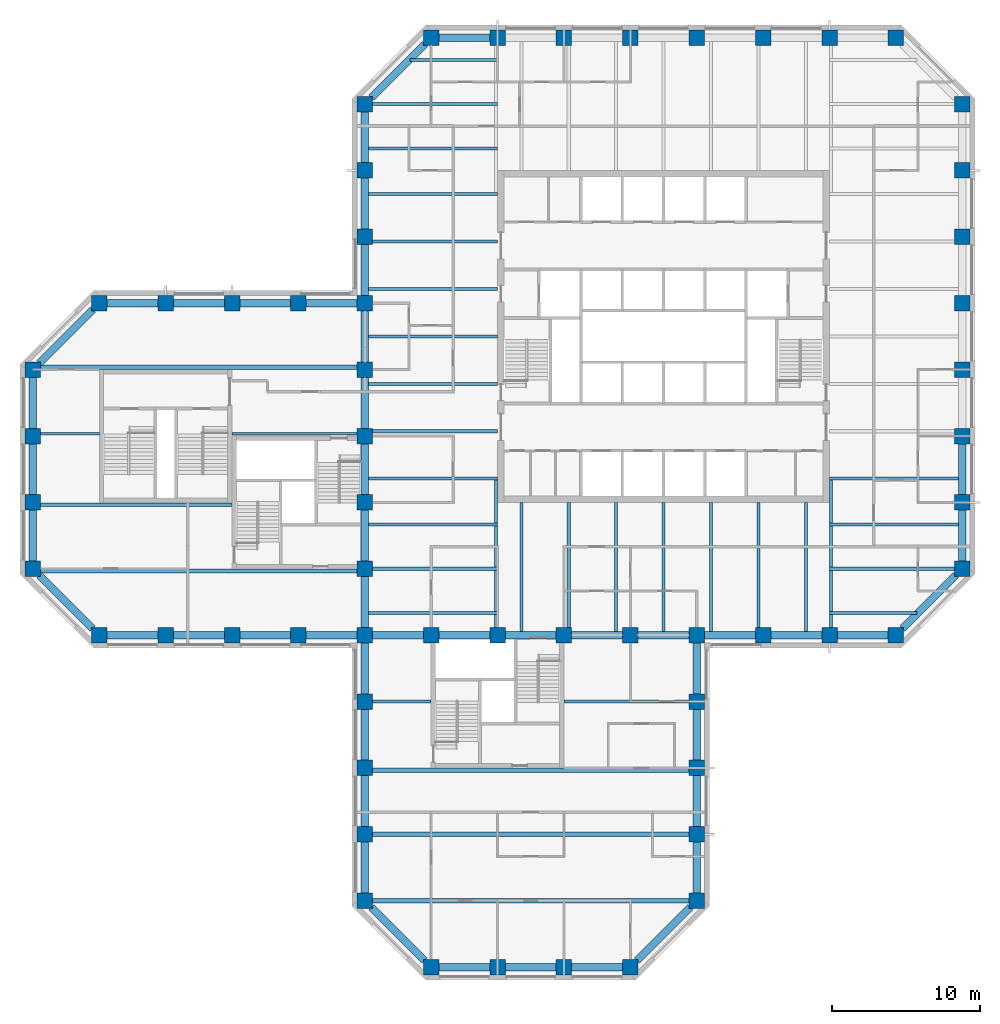
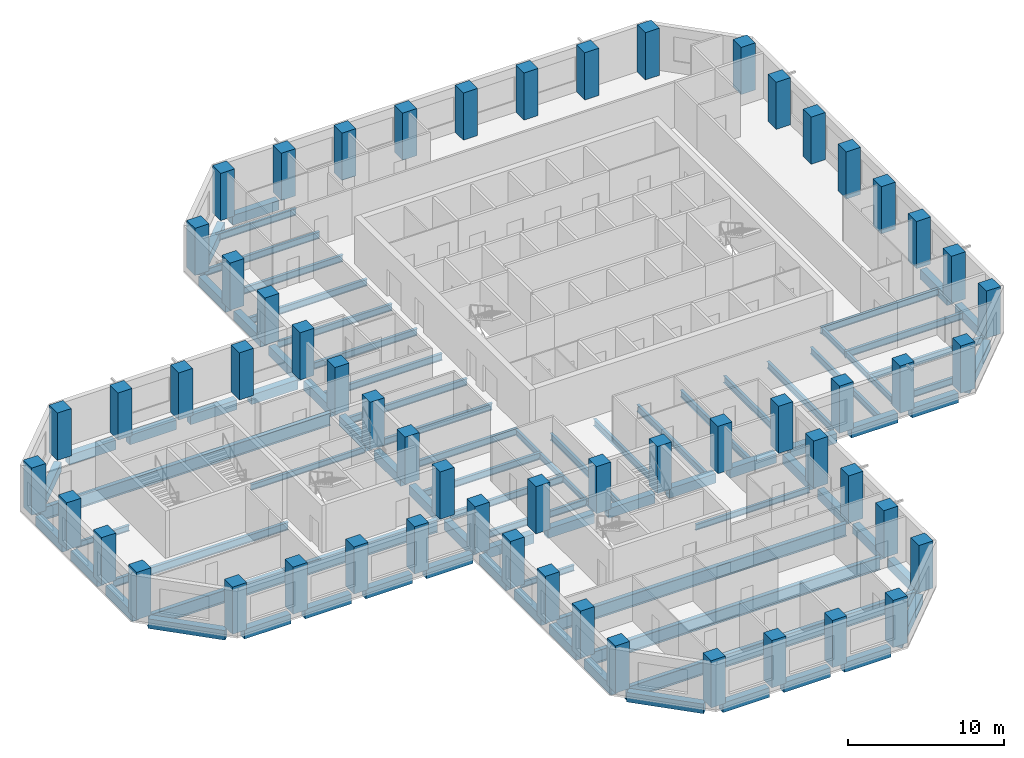
# One storey, part 1 of 11: 83 beams, 57 columns.
"""IFC4 building model written with IfcOpenShell, lengths in metres."""

from ifc_helpers import new_model, si_unit, direction, frame, origin, origin_2d, place, context, subcontext, project, spatial, rectangle, i_section, extrude, material, material_profile, profile_set, type_object, element, save


model = new_model("IFC4")

# Units and contexts
model_context = context("Model", 3, precision=1e-05, world=origin(), true_north=direction((0.0, 1.0)))
body_context = subcontext(model_context, "Body", "Model", "MODEL_VIEW")
ifc_project = project(units=[si_unit("LENGTHUNIT", "METRE"), si_unit("AREAUNIT", "SQUARE_METRE"), si_unit("VOLUMEUNIT", "CUBIC_METRE"), si_unit("PLANEANGLEUNIT", "RADIAN"), si_unit("MASSUNIT", "GRAM", prefix="KILO")], contexts=[model_context])

# Site, building, storey
site_placement = place(None, origin())
site = spatial("IfcSite", under=ifc_project, at=site_placement, CompositionType="ELEMENT")
building_placement = place(site_placement, origin())
building = spatial("IfcBuilding", under=site, at=building_placement, Name="Quoin Convention Tower", CompositionType="ELEMENT")
storey_placement = place(building_placement, frame((0.0, 0.0, 78.89990234375)))
storey = spatial("IfcBuildingStorey", under=building, at=storey_placement, Name="L20", CompositionType="ELEMENT", Elevation=78.89990234375)

# Columns
ifc_material_1 = material(Name="Concrete C65", Category="concrete")
ifc_material_profile_1 = material_profile(ifc_material_1, rectangle(XDim=1.050048828125, YDim=1.050048828125, at=origin_2d()), Name="RC 1050x1050")
ifc_profile_set_1 = profile_set([ifc_material_profile_1], Name="Concrete C65")
column_type = type_object("IfcColumnType", Name="RC 1050x1050 C65", PredefinedType="COLUMN", material=ifc_profile_set_1)
for number, where, z_axis, x_axis, name in (
    (1, (40.5, 18.0, 0.0), (0.0, 0.0, 1.0), (1.0, 0.0, 0.0), "col-L20-40500_18000"),
    (2, (45.0, 18.0, 0.0), (0.0, 0.0, 1.0), (1.0, 0.0, 0.0), "col-L20-45000_18000"),
    (3, (49.5, 18.0, 0.0), (0.0, 0.0, 1.0), (1.0, 0.0, 0.0), "col-L20-49500_18000"),
    (4, (54.0, 18.0, 0.0), (0.0, 0.0, 1.0), (1.0, 0.0, 0.0), "col-L20-54000_18000"),
    (5, (36.0, 22.5, 0.0), (0.0, 0.0, 1.0), (1.0, 0.0, 0.0), "col-L20-36000_22500"),
    (6, (58.5, 22.5, 0.0), (0.0, 0.0, 1.0), (1.0, 0.0, 0.0), "col-L20-58500_22500"),
    (7, (36.0, 27.0, 0.0), (0.0, 0.0, 1.0), (1.0, 0.0, 0.0), "col-L20-36000_27000"),
    (8, (58.5, 27.0, 0.0), (0.0, 0.0, 1.0), (1.0, 0.0, 0.0), "col-L20-58500_27000"),
    (9, (36.0, 31.5, 0.0), (0.0, 0.0, 1.0), (1.0, 0.0, 0.0), "col-L20-36000_31500"),
    (10, (58.5, 31.5, 0.0), (0.0, 0.0, 1.0), (1.0, 0.0, 0.0), "col-L20-58500_31500"),
    (11, (36.0, 36.0, 0.0), (0.0, 0.0, 1.0), (1.0, 0.0, 0.0), "col-L20-36000_36000"),
    (12, (58.5, 36.0, 0.0), (0.0, 0.0, 1.0), (1.0, 0.0, 0.0), "col-L20-58500_36000"),
    (13, (18.0, 40.5, 0.0), (0.0, 0.0, 1.0), (1.0, 0.0, 0.0), "col-L20-18000_40500"),
    (14, (22.5, 40.5, 0.0), (0.0, 0.0, 1.0), (1.0, 0.0, 0.0), "col-L20-22500_40500"),
    (15, (27.0, 40.5, 0.0), (0.0, 0.0, 1.0), (1.0, 0.0, 0.0), "col-L20-27000_40500"),
    (16, (31.5, 40.5, 0.0), (0.0, 0.0, 1.0), (1.0, 0.0, 0.0), "col-L20-31500_40500"),
    (17, (36.0, 40.5, 0.0), (0.0, 0.0, 1.0), (1.0, 0.0, 0.0), "col-L20-36000_40500"),
    (18, (40.5, 40.5, 0.0), (0.0, 0.0, 1.0), (1.0, 0.0, 0.0), "web-L20-40500_40500"),
    (19, (45.0, 40.5, 0.0), (0.0, 0.0, 1.0), (1.0, 0.0, 0.0), "web-L20-45000_40500"),
    (20, (49.5, 40.5, 0.0), (0.0, 0.0, 1.0), (1.0, 0.0, 0.0), "web-L20-49500_40500"),
    (21, (54.0, 40.5, 0.0), (0.0, 0.0, 1.0), (1.0, 0.0, 0.0), "web-L20-54000_40500"),
    (22, (58.5, 40.5, 0.0), (0.0, 0.0, 1.0), (1.0, 0.0, 0.0), "col-L20-58500_40500"),
    (23, (63.0, 40.5, 0.0), (0.0, 0.0, 1.0), (1.0, 0.0, 0.0), "col-L20-63000_40500"),
    (24, (67.5, 40.5, 0.0), (0.0, 0.0, 1.0), (1.0, 0.0, 0.0), "col-L20-67500_40500"),
    (25, (72.0, 40.5, 0.0), (0.0, 0.0, 1.0), (1.0, 0.0, 0.0), "col-L20-72000_40500"),
    (26, (13.5, 45.0, 0.0), (0.0, 0.0, 1.0), (1.0, 0.0, 0.0), "col-L20-13500_45000"),
    (27, (36.0, 45.0, 0.0), (0.0, 0.0, 1.0), (1.0, 0.0, 0.0), "web-L20-36000_45000"),
    (28, (76.5, 45.0, 0.0), (0.0, 0.0, 1.0), (1.0, 0.0, 0.0), "col-L20-76500_45000"),
    (29, (13.5, 49.5, 0.0), (0.0, 0.0, 1.0), (1.0, 0.0, 0.0), "col-L20-13500_49500"),
    (30, (36.0, 49.5, 0.0), (0.0, 0.0, 1.0), (1.0, 0.0, 0.0), "web-L20-36000_49500"),
    (31, (76.5, 49.5, 0.0), (0.0, 0.0, 1.0), (1.0, 0.0, 0.0), "col-L20-76500_49500"),
    (32, (13.5, 54.0, 0.0), (0.0, 0.0, 1.0), (1.0, 0.0, 0.0), "col-L20-13500_54000"),
    (33, (36.0, 54.0, 0.0), (0.0, 0.0, 1.0), (1.0, 0.0, 0.0), "web-L20-36000_54000"),
    (34, (76.5, 54.0, 0.0), (0.0, 0.0, 1.0), (1.0, 0.0, 0.0), "col-L20-76500_54000"),
    (35, (13.5, 58.5, 0.0), (0.0, 0.0, 1.0), (1.0, 0.0, 0.0), "col-L20-13500_58500"),
    (36, (36.0, 58.5, 0.0), (0.0, 0.0, 1.0), (1.0, 0.0, 0.0), "web-L20-36000_58500"),
    (37, (76.5, 58.5, 0.0), (0.0, 0.0, 1.0), (1.0, 0.0, 0.0), "col-L20-76500_58500"),
    (38, (18.0, 63.0, 0.0), (0.0, 0.0, 1.0), (1.0, 0.0, 0.0), "col-L20-18000_63000"),
    (39, (22.5, 63.0, 0.0), (0.0, 0.0, 1.0), (1.0, 0.0, 0.0), "col-L20-22500_63000"),
    (40, (27.0, 63.0, 0.0), (0.0, 0.0, 1.0), (1.0, 0.0, 0.0), "col-L20-27000_63000"),
    (41, (31.5, 63.0, 0.0), (0.0, 0.0, 1.0), (1.0, 0.0, 0.0), "col-L20-31500_63000"),
    (42, (36.0, 63.0, 0.0), (0.0, 0.0, 1.0), (1.0, 0.0, 0.0), "col-L20-36000_63000"),
    (43, (76.5, 63.0, 0.0), (0.0, 0.0, 1.0), (1.0, 0.0, 0.0), "col-L20-76500_63000"),
    (44, (36.0, 67.5, 0.0), (0.0, 0.0, 1.0), (1.0, 0.0, 0.0), "col-L20-36000_67500"),
    (45, (76.5, 67.5, 0.0), (0.0, 0.0, 1.0), (1.0, 0.0, 0.0), "col-L20-76500_67500"),
    (46, (36.0, 72.0, 0.0), (0.0, 0.0, 1.0), (1.0, 0.0, 0.0), "col-L20-36000_72000"),
    (47, (76.5, 72.0, 0.0), (0.0, 0.0, 1.0), (1.0, 0.0, 0.0), "col-L20-76500_72000"),
    (48, (36.0, 76.5, 0.0), (0.0, 0.0, 1.0), (1.0, 0.0, 0.0), "col-L20-36000_76500"),
    (49, (76.5, 76.5, 0.0), (0.0, 0.0, 1.0), (1.0, 0.0, 0.0), "col-L20-76500_76500"),
    (50, (40.5, 81.0, 0.0), (0.0, 0.0, 1.0), (1.0, 0.0, 0.0), "col-L20-40500_81000"),
    (51, (45.0, 81.0, 0.0), (0.0, 0.0, 1.0), (1.0, 0.0, 0.0), "col-L20-45000_81000"),
    (52, (49.5, 81.0, 0.0), (0.0, 0.0, 1.0), (1.0, 0.0, 0.0), "col-L20-49500_81000"),
    (53, (54.0, 81.0, 0.0), (0.0, 0.0, 1.0), (1.0, 0.0, 0.0), "col-L20-54000_81000"),
    (54, (58.5, 81.0, 0.0), (0.0, 0.0, 1.0), (1.0, 0.0, 0.0), "col-L20-58500_81000"),
    (55, (63.0, 81.0, 0.0), (0.0, 0.0, 1.0), (1.0, 0.0, 0.0), "col-L20-63000_81000"),
    (56, (67.5, 81.0, 0.0), (0.0, 0.0, 1.0), (1.0, 0.0, 0.0), "col-L20-67500_81000"),
    (57, (72.0, 81.0, 0.0), (0.0, 0.0, 1.0), (1.0, 0.0, 0.0), "col-L20-72000_81000"),
):
    element("IfcColumn", number, at=place(storey_placement, frame(where, z_axis=z_axis, x_axis=x_axis)), inside=storey, type_object=column_type, Name=name, PredefinedType="COLUMN", context=body_context, shape_type="SweptSolid", body=[
        extrude(rectangle(XDim=1.050048828125, YDim=1.050048828125, at=origin_2d()), origin(), (0.0, 0.0, 1.0), 3.7001953125),
    ])

# Beams
ifc_material_2 = material(Name="Steel Grade 300", Category="steel")
ifc_material_profile_2 = material_profile(ifc_material_2, i_section(OverallWidth=0.300048828125, OverallDepth=1.0, WebThickness=0.01611328125, FlangeThickness=0.02001953125, at=origin_2d()), Name="1000WB215")
ifc_profile_set_2 = profile_set([ifc_material_profile_2], Name="Steel Grade 300")
beam_type_1 = type_object("IfcBeamType", Name="1000WB215", PredefinedType="BEAM", material=ifc_profile_set_2)
for number, where, z_axis, x_axis, name in (
    (58, (36.52490234375, 22.5, -0.64990234375), (1.0, 0.0, 0.0), (0.0, 1.0, 0.0), "gir-L20-ST3-1-0"),
    (59, (36.52490234375, 27.0, -0.64990234375), (1.0, 0.0, 0.0), (0.0, 1.0, 0.0), "gir-L20-ST3-2-0"),
    (60, (36.52490234375, 31.35009765625, -0.64990234375), (1.0, 0.0, 0.0), (0.0, 1.0, 0.0), "gir-L20-ST3-3-0"),
    (61, (14.02490234375, 44.85009765625, -0.64990234375), (1.0, 0.0, 0.0), (0.0, 1.0, 0.0), "gir-L20-ST2-1-0"),
    (62, (14.02490234375, 58.64990234375, -0.64990234375), (1.0, 0.0, 0.0), (0.0, 1.0, 0.0), "gir-L20-ST2-4-0"),
):
    element("IfcBeam", number, at=place(storey_placement, frame(where, z_axis=z_axis, x_axis=x_axis)), inside=storey, type_object=beam_type_1, Name=name, PredefinedType="BEAM", context=body_context, shape_type="SweptSolid", body=[
        extrude(i_section(OverallWidth=0.300048828125, OverallDepth=1.0, WebThickness=0.01611328125, FlangeThickness=0.02001953125, at=origin_2d()), origin(), (0.0, 0.0, 1.0), 21.4501953125),
    ])
ifc_material_profile_3 = material_profile(ifc_material_2, i_section(OverallWidth=0.18994140625, OverallDepth=0.4541015625, WebThickness=0.008544921875, FlangeThickness=0.0126953125, FilletRadius=0.011474609375, at=origin_2d()), Name="460UB67.1")
ifc_profile_set_3 = profile_set([ifc_material_profile_3], Name="Steel Grade 300")
beam_type_2 = type_object("IfcBeamType", Name="460UB67.1", PredefinedType="BEAM", material=ifc_profile_set_3)
for number, where, z_axis, x_axis, name in (
    (63, (44.8955078125, 41.02490234375, -0.376953125), (0.0, 1.0, 0.0), (-1.0, 0.0, 0.0), "gir-L20-T1SW"),
    (64, (67.6044921875, 41.02490234375, -0.376953125), (0.0, 1.0, 0.0), (-1.0, 0.0, 0.0), "gir-L20-T1SE"),
):
    element("IfcBeam", number, at=place(storey_placement, frame(where, z_axis=z_axis, x_axis=x_axis)), inside=storey, type_object=beam_type_2, Name=name, PredefinedType="BEAM", context=body_context, shape_type="SweptSolid", body=[
        extrude(i_section(OverallWidth=0.18994140625, OverallDepth=0.4541015625, WebThickness=0.008544921875, FlangeThickness=0.0126953125, FilletRadius=0.011474609375, at=origin_2d()), origin(), (0.0, 0.0, 1.0), 9.977783203125),
    ])
beam_1_placement = place(storey_placement, frame((36.52490234375, 36.0, -0.376953125), z_axis=(1.0, 0.0, 0.0), x_axis=(0.0, 1.0, 0.0)))
element("IfcBeam", 65, at=beam_1_placement, inside=storey, type_object=beam_type_2, Name="gir-L20-ST3-4-0", PredefinedType="BEAM", context=body_context, shape_type="SweptSolid", body=[
    extrude(i_section(OverallWidth=0.18994140625, OverallDepth=0.4541015625, WebThickness=0.008544921875, FlangeThickness=0.0126953125, FilletRadius=0.011474609375, at=origin_2d()), origin(), (0.0, 0.0, 1.0), 3.97509765625),
])
beam_2_placement = place(storey_placement, frame((49.5, 36.0, -0.376953125), z_axis=(1.0, 0.0, 0.0), x_axis=(0.0, 1.0, 0.0)))
element("IfcBeam", 66, at=beam_2_placement, inside=storey, type_object=beam_type_2, Name="gir-L20-ST3-4-1", PredefinedType="BEAM", context=body_context, shape_type="SweptSolid", body=[
    extrude(i_section(OverallWidth=0.18994140625, OverallDepth=0.4541015625, WebThickness=0.008544921875, FlangeThickness=0.0126953125, FilletRadius=0.011474609375, at=origin_2d()), origin(), (0.0, 0.0, 1.0), 8.47509765625),
])
beam_3_placement = place(storey_placement, frame((14.02490234375, 54.14990234375, -0.376953125), z_axis=(1.0, 0.0, 0.0), x_axis=(0.0, 1.0, 0.0)))
element("IfcBeam", 67, at=beam_3_placement, inside=storey, type_object=beam_type_2, Name="gir-L20-ST2-3-0", PredefinedType="BEAM", context=body_context, shape_type="SweptSolid", body=[
    extrude(i_section(OverallWidth=0.18994140625, OverallDepth=0.4541015625, WebThickness=0.008544921875, FlangeThickness=0.0126953125, FilletRadius=0.011474609375, at=origin_2d()), origin(), (0.0, 0.0, 1.0), 3.97509765625),
])
beam_4_placement = place(storey_placement, frame((27.0, 54.14990234375, -0.376953125), z_axis=(1.0, 0.0, 0.0), x_axis=(0.0, 1.0, 0.0)))
element("IfcBeam", 68, at=beam_4_placement, inside=storey, type_object=beam_type_2, Name="gir-L20-ST2-3-1", PredefinedType="BEAM", context=body_context, shape_type="SweptSolid", body=[
    extrude(i_section(OverallWidth=0.18994140625, OverallDepth=0.4541015625, WebThickness=0.008544921875, FlangeThickness=0.0126953125, FilletRadius=0.011474609375, at=origin_2d()), origin(), (0.0, 0.0, 1.0), 8.47509765625),
])
ifc_material_profile_4 = material_profile(ifc_material_2, i_section(OverallWidth=0.208984375, OverallDepth=0.528076171875, WebThickness=0.009521484375, FlangeThickness=0.01318359375, FilletRadius=0.013916015625, at=origin_2d()), Name="530UB82.0")
ifc_profile_set_4 = profile_set([ifc_material_profile_4], Name="Steel Grade 300")
beam_type_3 = type_object("IfcBeamType", Name="530UB82.0", PredefinedType="BEAM", material=ifc_profile_set_4)
beam_5_placement = place(storey_placement, frame((36.25, 51.107177734375, -0.413818359375), z_axis=(1.0, 0.0, 0.0), x_axis=(0.0, 1.0, 0.0)))
element("IfcBeam", 69, at=beam_5_placement, inside=storey, type_object=beam_type_3, Name="bm-L20-T1W0", PredefinedType="BEAM", context=body_context, shape_type="SweptSolid", body=[
    extrude(i_section(OverallWidth=0.208984375, OverallDepth=0.528076171875, WebThickness=0.009521484375, FlangeThickness=0.01318359375, FilletRadius=0.013916015625, at=origin_2d()), origin(), (0.0, 0.0, 1.0), 8.75),
])
beam_6_placement = place(storey_placement, frame((36.52490234375, 54.3212890625, -0.413818359375), z_axis=(1.0, 0.0, 0.0), x_axis=(0.0, 1.0, 0.0)))
element("IfcBeam", 70, at=beam_6_placement, inside=storey, type_object=beam_type_3, Name="bm-L20-T1W1", PredefinedType="BEAM", context=body_context, shape_type="SweptSolid", body=[
    extrude(i_section(OverallWidth=0.208984375, OverallDepth=0.528076171875, WebThickness=0.009521484375, FlangeThickness=0.01318359375, FilletRadius=0.013916015625, at=origin_2d()), origin(), (0.0, 0.0, 1.0), 8.47509765625),
])
for number, where, z_axis, x_axis, name in (
    (71, (36.25, 57.53564453125, -0.413818359375), (1.0, 0.0, 0.0), (0.0, 1.0, 0.0), "bm-L20-T1W2"),
    (72, (36.25, 60.75, -0.413818359375), (1.0, 0.0, 0.0), (0.0, 1.0, 0.0), "bm-L20-T1W3"),
    (73, (36.25, 63.96435546875, -0.413818359375), (1.0, 0.0, 0.0), (0.0, 1.0, 0.0), "bm-L20-T1W4"),
):
    element("IfcBeam", number, at=place(storey_placement, frame(where, z_axis=z_axis, x_axis=x_axis)), inside=storey, type_object=beam_type_3, Name=name, PredefinedType="BEAM", context=body_context, shape_type="SweptSolid", body=[
        extrude(i_section(OverallWidth=0.208984375, OverallDepth=0.528076171875, WebThickness=0.009521484375, FlangeThickness=0.01318359375, FilletRadius=0.013916015625, at=origin_2d()), origin(), (0.0, 0.0, 1.0), 8.75),
    ])
beam_7_placement = place(storey_placement, frame((36.52490234375, 67.1787109375, -0.413818359375), z_axis=(1.0, 0.0, 0.0), x_axis=(0.0, 1.0, 0.0)))
element("IfcBeam", 74, at=beam_7_placement, inside=storey, type_object=beam_type_3, Name="bm-L20-T1W5", PredefinedType="BEAM", context=body_context, shape_type="SweptSolid", body=[
    extrude(i_section(OverallWidth=0.208984375, OverallDepth=0.528076171875, WebThickness=0.009521484375, FlangeThickness=0.01318359375, FilletRadius=0.013916015625, at=origin_2d()), origin(), (0.0, 0.0, 1.0), 8.47509765625),
])
for number, where, z_axis, x_axis, name in (
    (75, (36.25, 70.392822265625, -0.413818359375), (1.0, 0.0, 0.0), (0.0, 1.0, 0.0), "bm-L20-T1W6"),
    (76, (67.5, 51.107177734375, -0.413818359375), (1.0, 0.0, 0.0), (0.0, 1.0, 0.0), "bm-L20-T1E0"),
    (77, (46.607177734375, 40.75, -0.413818359375), (0.0, 1.0, 0.0), (-1.0, 0.0, 0.0), "bm-L20-T1S0"),
):
    element("IfcBeam", number, at=place(storey_placement, frame(where, z_axis=z_axis, x_axis=x_axis)), inside=storey, type_object=beam_type_3, Name=name, PredefinedType="BEAM", context=body_context, shape_type="SweptSolid", body=[
        extrude(i_section(OverallWidth=0.208984375, OverallDepth=0.528076171875, WebThickness=0.009521484375, FlangeThickness=0.01318359375, FilletRadius=0.013916015625, at=origin_2d()), origin(), (0.0, 0.0, 1.0), 8.75),
    ])
beam_8_placement = place(storey_placement, frame((49.8212890625, 41.02490234375, -0.413818359375), z_axis=(0.0, 1.0, 0.0), x_axis=(-1.0, 0.0, 0.0)))
element("IfcBeam", 78, at=beam_8_placement, inside=storey, type_object=beam_type_3, Name="bm-L20-T1S1", PredefinedType="BEAM", context=body_context, shape_type="SweptSolid", body=[
    extrude(i_section(OverallWidth=0.208984375, OverallDepth=0.528076171875, WebThickness=0.009521484375, FlangeThickness=0.01318359375, FilletRadius=0.013916015625, at=origin_2d()), origin(), (0.0, 0.0, 1.0), 8.47509765625),
])
for number, where, z_axis, x_axis, name in (
    (79, (53.03564453125, 40.75, -0.413818359375), (0.0, 1.0, 0.0), (-1.0, 0.0, 0.0), "bm-L20-T1S2"),
    (80, (56.25, 40.75, -0.413818359375), (0.0, 1.0, 0.0), (-1.0, 0.0, 0.0), "bm-L20-T1S3"),
    (81, (59.46435546875, 40.75, -0.413818359375), (0.0, 1.0, 0.0), (-1.0, 0.0, 0.0), "bm-L20-T1S4"),
):
    element("IfcBeam", number, at=place(storey_placement, frame(where, z_axis=z_axis, x_axis=x_axis)), inside=storey, type_object=beam_type_3, Name=name, PredefinedType="BEAM", context=body_context, shape_type="SweptSolid", body=[
        extrude(i_section(OverallWidth=0.208984375, OverallDepth=0.528076171875, WebThickness=0.009521484375, FlangeThickness=0.01318359375, FilletRadius=0.013916015625, at=origin_2d()), origin(), (0.0, 0.0, 1.0), 8.75),
    ])
beam_9_placement = place(storey_placement, frame((62.6787109375, 41.02490234375, -0.413818359375), z_axis=(0.0, 1.0, 0.0), x_axis=(-1.0, 0.0, 0.0)))
element("IfcBeam", 82, at=beam_9_placement, inside=storey, type_object=beam_type_3, Name="bm-L20-T1S5", PredefinedType="BEAM", context=body_context, shape_type="SweptSolid", body=[
    extrude(i_section(OverallWidth=0.208984375, OverallDepth=0.528076171875, WebThickness=0.009521484375, FlangeThickness=0.01318359375, FilletRadius=0.013916015625, at=origin_2d()), origin(), (0.0, 0.0, 1.0), 8.47509765625),
])
for number, where, z_axis, x_axis, name in (
    (83, (65.892822265625, 40.75, -0.413818359375), (0.0, 1.0, 0.0), (-1.0, 0.0, 0.0), "bm-L20-T1S6"),
    (84, (36.25, 42.0, -0.413818359375), (1.0, 0.0, 0.0), (0.0, 1.0, 0.0), "bm-L20-T1SW0"),
):
    element("IfcBeam", number, at=place(storey_placement, frame(where, z_axis=z_axis, x_axis=x_axis)), inside=storey, type_object=beam_type_3, Name=name, PredefinedType="BEAM", context=body_context, shape_type="SweptSolid", body=[
        extrude(i_section(OverallWidth=0.208984375, OverallDepth=0.528076171875, WebThickness=0.009521484375, FlangeThickness=0.01318359375, FilletRadius=0.013916015625, at=origin_2d()), origin(), (0.0, 0.0, 1.0), 8.75),
    ])
beam_10_placement = place(storey_placement, frame((36.52490234375, 45.0, -0.413818359375), z_axis=(1.0, 0.0, 0.0), x_axis=(0.0, 1.0, 0.0)))
element("IfcBeam", 85, at=beam_10_placement, inside=storey, type_object=beam_type_3, Name="bm-L20-T1SW1", PredefinedType="BEAM", context=body_context, shape_type="SweptSolid", body=[
    extrude(i_section(OverallWidth=0.208984375, OverallDepth=0.528076171875, WebThickness=0.009521484375, FlangeThickness=0.01318359375, FilletRadius=0.013916015625, at=origin_2d()), origin(), (0.0, 0.0, 1.0), 8.47509765625),
])
beam_11_placement = place(storey_placement, frame((36.25, 48.0, -0.413818359375), z_axis=(1.0, 0.0, 0.0), x_axis=(0.0, 1.0, 0.0)))
element("IfcBeam", 86, at=beam_11_placement, inside=storey, type_object=beam_type_3, Name="bm-L20-T1SW2", PredefinedType="BEAM", context=body_context, shape_type="SweptSolid", body=[
    extrude(i_section(OverallWidth=0.208984375, OverallDepth=0.528076171875, WebThickness=0.009521484375, FlangeThickness=0.01318359375, FilletRadius=0.013916015625, at=origin_2d()), origin(), (0.0, 0.0, 1.0), 8.75),
])
beam_12_placement = place(storey_placement, frame((67.5, 42.0, -0.413818359375), z_axis=(1.0, 0.0, 0.0), x_axis=(0.0, 1.0, 0.0)))
element("IfcBeam", 87, at=beam_12_placement, inside=storey, type_object=beam_type_3, Name="bm-L20-T1SE0", PredefinedType="BEAM", context=body_context, shape_type="SweptSolid", body=[
    extrude(i_section(OverallWidth=0.208984375, OverallDepth=0.528076171875, WebThickness=0.009521484375, FlangeThickness=0.01318359375, FilletRadius=0.013916015625, at=origin_2d()), origin(), (0.0, 0.0, 1.0), 5.927734375),
])
beam_13_placement = place(storey_placement, frame((67.5, 45.0, -0.413818359375), z_axis=(1.0, 0.0, 0.0), x_axis=(0.0, 1.0, 0.0)))
element("IfcBeam", 88, at=beam_13_placement, inside=storey, type_object=beam_type_3, Name="bm-L20-T1SE1", PredefinedType="BEAM", context=body_context, shape_type="SweptSolid", body=[
    extrude(i_section(OverallWidth=0.208984375, OverallDepth=0.528076171875, WebThickness=0.009521484375, FlangeThickness=0.01318359375, FilletRadius=0.013916015625, at=origin_2d()), origin(), (0.0, 0.0, 1.0), 8.47509765625),
])
beam_14_placement = place(storey_placement, frame((67.5, 48.0, -0.413818359375), z_axis=(1.0, 0.0, 0.0), x_axis=(0.0, 1.0, 0.0)))
element("IfcBeam", 89, at=beam_14_placement, inside=storey, type_object=beam_type_3, Name="bm-L20-T1SE2", PredefinedType="BEAM", context=body_context, shape_type="SweptSolid", body=[
    extrude(i_section(OverallWidth=0.208984375, OverallDepth=0.528076171875, WebThickness=0.009521484375, FlangeThickness=0.01318359375, FilletRadius=0.013916015625, at=origin_2d()), origin(), (0.0, 0.0, 1.0), 8.75),
])
beam_15_placement = place(storey_placement, frame((39.072265625, 79.5, -0.413818359375), z_axis=(1.0, 0.0, 0.0), x_axis=(0.0, 1.0, 0.0)))
element("IfcBeam", 90, at=beam_15_placement, inside=storey, type_object=beam_type_3, Name="bm-L20-T1NW0", PredefinedType="BEAM", context=body_context, shape_type="SweptSolid", body=[
    extrude(i_section(OverallWidth=0.208984375, OverallDepth=0.528076171875, WebThickness=0.009521484375, FlangeThickness=0.01318359375, FilletRadius=0.013916015625, at=origin_2d()), origin(), (0.0, 0.0, 1.0), 5.927734375),
])
beam_16_placement = place(storey_placement, frame((36.52490234375, 76.5, -0.413818359375), z_axis=(1.0, 0.0, 0.0), x_axis=(0.0, 1.0, 0.0)))
element("IfcBeam", 91, at=beam_16_placement, inside=storey, type_object=beam_type_3, Name="bm-L20-T1NW1", PredefinedType="BEAM", context=body_context, shape_type="SweptSolid", body=[
    extrude(i_section(OverallWidth=0.208984375, OverallDepth=0.528076171875, WebThickness=0.009521484375, FlangeThickness=0.01318359375, FilletRadius=0.013916015625, at=origin_2d()), origin(), (0.0, 0.0, 1.0), 8.47509765625),
])
beam_17_placement = place(storey_placement, frame((36.25, 73.5, -0.413818359375), z_axis=(1.0, 0.0, 0.0), x_axis=(0.0, 1.0, 0.0)))
element("IfcBeam", 92, at=beam_17_placement, inside=storey, type_object=beam_type_3, Name="bm-L20-T1NW2", PredefinedType="BEAM", context=body_context, shape_type="SweptSolid", body=[
    extrude(i_section(OverallWidth=0.208984375, OverallDepth=0.528076171875, WebThickness=0.009521484375, FlangeThickness=0.01318359375, FilletRadius=0.013916015625, at=origin_2d()), origin(), (0.0, 0.0, 1.0), 8.75),
])
ifc_material_profile_5 = material_profile(ifc_material_2, i_section(OverallWidth=0.22802734375, OverallDepth=0.60205078125, WebThickness=0.010498046875, FlangeThickness=0.014892578125, FilletRadius=0.013916015625, at=origin_2d()), Name="610UB101")
ifc_profile_set_5 = profile_set([ifc_material_profile_5], Name="Steel Grade 300")
beam_type_4 = type_object("IfcBeamType", Name="610UB101", PredefinedType="BEAM", material=ifc_profile_set_5)
beam_18_placement = place(storey_placement, frame((14.02490234375, 49.35009765625, -0.450927734375), z_axis=(1.0, 0.0, 0.0), x_axis=(0.0, 1.0, 0.0)))
element("IfcBeam", 93, at=beam_18_placement, inside=storey, type_object=beam_type_4, Name="gir-L20-ST2-2-0", PredefinedType="BEAM", context=body_context, shape_type="SweptSolid", body=[
    extrude(i_section(OverallWidth=0.22802734375, OverallDepth=0.60205078125, WebThickness=0.010498046875, FlangeThickness=0.014892578125, FilletRadius=0.013916015625, at=origin_2d()), origin(), (0.0, 0.0, 1.0), 12.97509765625),
])
ifc_material_profile_6 = material_profile(ifc_material_1, rectangle(XDim=0.5, YDim=0.75, at=origin_2d()), Name="RC 500x750")
ifc_profile_set_6 = profile_set([ifc_material_profile_6], Name="Concrete C65")
beam_type_5 = type_object("IfcBeamType", Name="RC 500x750 C65", PredefinedType="SPANDREL", material=ifc_profile_set_6)
for number, where, z_axis, x_axis, name in (
    (94, (59.02490234375, 40.5, -0.52490234375), (1.0, 0.0, 0.0), (0.0, 1.0, 0.0), "spd-L20-58500_40500-63000_40500"),
    (95, (63.52490234375, 40.5, -0.52490234375), (1.0, 0.0, 0.0), (0.0, 1.0, 0.0), "spd-L20-63000_40500-67500_40500"),
    (96, (68.02490234375, 40.5, -0.52490234375), (1.0, 0.0, 0.0), (0.0, 1.0, 0.0), "spd-L20-67500_40500-72000_40500"),
):
    element("IfcBeam", number, at=place(storey_placement, frame(where, z_axis=z_axis, x_axis=x_axis)), inside=storey, type_object=beam_type_5, Name=name, PredefinedType="SPANDREL", context=body_context, shape_type="SweptSolid", body=[
        extrude(rectangle(XDim=0.5, YDim=0.75, at=origin_2d()), origin(), (0.0, 0.0, 1.0), 3.4501953125),
    ])
beam_19_placement = place(storey_placement, frame((72.440185546875, 40.940185546875, -0.52490234375), z_axis=(0.707106781187, 0.707106781187, 0.0), x_axis=(-0.707106781187, 0.707106781187, 0.0)))
element("IfcBeam", 97, at=beam_19_placement, inside=storey, type_object=beam_type_5, Name="spd-L20-72000_40500-76500_45000", PredefinedType="SPANDREL", context=body_context, shape_type="SweptSolid", body=[
    extrude(rectangle(XDim=0.5, YDim=0.75, at=origin_2d()), origin(), (0.0, 0.0, 1.0), 5.118896484375),
])
for number, where, z_axis, x_axis, name in (
    (98, (76.5, 45.52490234375, -0.52490234375), (0.0, 1.0, 0.0), (-1.0, 0.0, 0.0), "spd-L20-76500_45000-76500_49500"),
    (99, (76.5, 50.02490234375, -0.52490234375), (0.0, 1.0, 0.0), (-1.0, 0.0, 0.0), "spd-L20-76500_49500-76500_54000"),
    (100, (44.47509765625, 81.0, -0.52490234375), (-1.0, 0.0, 0.0), (0.0, -1.0, 0.0), "spd-L20-45000_81000-40500_81000"),
):
    element("IfcBeam", number, at=place(storey_placement, frame(where, z_axis=z_axis, x_axis=x_axis)), inside=storey, type_object=beam_type_5, Name=name, PredefinedType="SPANDREL", context=body_context, shape_type="SweptSolid", body=[
        extrude(rectangle(XDim=0.5, YDim=0.75, at=origin_2d()), origin(), (0.0, 0.0, 1.0), 3.4501953125),
    ])
beam_20_placement = place(storey_placement, frame((40.059814453125, 80.559814453125, -0.52490234375), z_axis=(-0.707106781187, -0.707106781187, 0.0), x_axis=(0.707106781187, -0.707106781187, 0.0)))
element("IfcBeam", 101, at=beam_20_placement, inside=storey, type_object=beam_type_5, Name="spd-L20-40500_81000-36000_76500", PredefinedType="SPANDREL", context=body_context, shape_type="SweptSolid", body=[
    extrude(rectangle(XDim=0.5, YDim=0.75, at=origin_2d()), origin(), (0.0, 0.0, 1.0), 5.118896484375),
])
for number, where, z_axis, x_axis, name in (
    (102, (36.0, 75.97509765625, -0.52490234375), (0.0, -1.0, 0.0), (1.0, 0.0, 0.0), "spd-L20-36000_76500-36000_72000"),
    (103, (36.0, 71.47509765625, -0.52490234375), (0.0, -1.0, 0.0), (1.0, 0.0, 0.0), "spd-L20-36000_72000-36000_67500"),
    (104, (36.0, 66.97509765625, -0.52490234375), (0.0, -1.0, 0.0), (1.0, 0.0, 0.0), "spd-L20-36000_67500-36000_63000"),
    (105, (35.47509765625, 63.0, -0.52490234375), (-1.0, 0.0, 0.0), (0.0, -1.0, 0.0), "spd-L20-36000_63000-31500_63000"),
    (106, (30.97509765625, 63.0, -0.52490234375), (-1.0, 0.0, 0.0), (0.0, -1.0, 0.0), "spd-L20-31500_63000-27000_63000"),
    (107, (26.47509765625, 63.0, -0.52490234375), (-1.0, 0.0, 0.0), (0.0, -1.0, 0.0), "spd-L20-27000_63000-22500_63000"),
    (108, (21.97509765625, 63.0, -0.52490234375), (-1.0, 0.0, 0.0), (0.0, -1.0, 0.0), "spd-L20-22500_63000-18000_63000"),
):
    element("IfcBeam", number, at=place(storey_placement, frame(where, z_axis=z_axis, x_axis=x_axis)), inside=storey, type_object=beam_type_5, Name=name, PredefinedType="SPANDREL", context=body_context, shape_type="SweptSolid", body=[
        extrude(rectangle(XDim=0.5, YDim=0.75, at=origin_2d()), origin(), (0.0, 0.0, 1.0), 3.4501953125),
    ])
beam_21_placement = place(storey_placement, frame((17.559814453125, 62.559814453125, -0.52490234375), z_axis=(-0.707106781187, -0.707106781187, 0.0), x_axis=(0.707106781187, -0.707106781187, 0.0)))
element("IfcBeam", 109, at=beam_21_placement, inside=storey, type_object=beam_type_5, Name="spd-L20-18000_63000-13500_58500", PredefinedType="SPANDREL", context=body_context, shape_type="SweptSolid", body=[
    extrude(rectangle(XDim=0.5, YDim=0.75, at=origin_2d()), origin(), (0.0, 0.0, 1.0), 5.118896484375),
])
for number, where, z_axis, x_axis, name in (
    (110, (13.5, 57.97509765625, -0.52490234375), (0.0, -1.0, 0.0), (1.0, 0.0, 0.0), "spd-L20-13500_58500-13500_54000"),
    (111, (13.5, 53.47509765625, -0.52490234375), (0.0, -1.0, 0.0), (1.0, 0.0, 0.0), "spd-L20-13500_54000-13500_49500"),
    (112, (13.5, 48.97509765625, -0.52490234375), (0.0, -1.0, 0.0), (1.0, 0.0, 0.0), "spd-L20-13500_49500-13500_45000"),
):
    element("IfcBeam", number, at=place(storey_placement, frame(where, z_axis=z_axis, x_axis=x_axis)), inside=storey, type_object=beam_type_5, Name=name, PredefinedType="SPANDREL", context=body_context, shape_type="SweptSolid", body=[
        extrude(rectangle(XDim=0.5, YDim=0.75, at=origin_2d()), origin(), (0.0, 0.0, 1.0), 3.4501953125),
    ])
beam_22_placement = place(storey_placement, frame((13.940185546875, 44.559814453125, -0.52490234375), z_axis=(0.707106781187, -0.707106781187, 0.0), x_axis=(0.707106781187, 0.707106781187, 0.0)))
element("IfcBeam", 113, at=beam_22_placement, inside=storey, type_object=beam_type_5, Name="spd-L20-13500_45000-18000_40500", PredefinedType="SPANDREL", context=body_context, shape_type="SweptSolid", body=[
    extrude(rectangle(XDim=0.5, YDim=0.75, at=origin_2d()), origin(), (0.0, 0.0, 1.0), 5.118896484375),
])
for number, where, z_axis, x_axis, name in (
    (114, (18.52490234375, 40.5, -0.52490234375), (1.0, 0.0, 0.0), (0.0, 1.0, 0.0), "spd-L20-18000_40500-22500_40500"),
    (115, (23.02490234375, 40.5, -0.52490234375), (1.0, 0.0, 0.0), (0.0, 1.0, 0.0), "spd-L20-22500_40500-27000_40500"),
    (116, (27.52490234375, 40.5, -0.52490234375), (1.0, 0.0, 0.0), (0.0, 1.0, 0.0), "spd-L20-27000_40500-31500_40500"),
    (117, (32.02490234375, 40.5, -0.52490234375), (1.0, 0.0, 0.0), (0.0, 1.0, 0.0), "spd-L20-31500_40500-36000_40500"),
    (118, (36.0, 39.97509765625, -0.52490234375), (0.0, -1.0, 0.0), (1.0, 0.0, 0.0), "spd-L20-36000_40500-36000_36000"),
    (119, (36.0, 35.47509765625, -0.52490234375), (0.0, -1.0, 0.0), (1.0, 0.0, 0.0), "spd-L20-36000_36000-36000_31500"),
    (120, (36.0, 30.97509765625, -0.52490234375), (0.0, -1.0, 0.0), (1.0, 0.0, 0.0), "spd-L20-36000_31500-36000_27000"),
    (121, (36.0, 26.47509765625, -0.52490234375), (0.0, -1.0, 0.0), (1.0, 0.0, 0.0), "spd-L20-36000_27000-36000_22500"),
):
    element("IfcBeam", number, at=place(storey_placement, frame(where, z_axis=z_axis, x_axis=x_axis)), inside=storey, type_object=beam_type_5, Name=name, PredefinedType="SPANDREL", context=body_context, shape_type="SweptSolid", body=[
        extrude(rectangle(XDim=0.5, YDim=0.75, at=origin_2d()), origin(), (0.0, 0.0, 1.0), 3.4501953125),
    ])
beam_23_placement = place(storey_placement, frame((36.440185546875, 22.059814453125, -0.52490234375), z_axis=(0.707106781187, -0.707106781187, 0.0), x_axis=(0.707106781187, 0.707106781187, 0.0)))
element("IfcBeam", 122, at=beam_23_placement, inside=storey, type_object=beam_type_5, Name="spd-L20-36000_22500-40500_18000", PredefinedType="SPANDREL", context=body_context, shape_type="SweptSolid", body=[
    extrude(rectangle(XDim=0.5, YDim=0.75, at=origin_2d()), origin(), (0.0, 0.0, 1.0), 5.118896484375),
])
for number, where, z_axis, x_axis, name in (
    (123, (41.02490234375, 18.0, -0.52490234375), (1.0, 0.0, 0.0), (0.0, 1.0, 0.0), "spd-L20-40500_18000-45000_18000"),
    (124, (45.52490234375, 18.0, -0.52490234375), (1.0, 0.0, 0.0), (0.0, 1.0, 0.0), "spd-L20-45000_18000-49500_18000"),
    (125, (50.02490234375, 18.0, -0.52490234375), (1.0, 0.0, 0.0), (0.0, 1.0, 0.0), "spd-L20-49500_18000-54000_18000"),
):
    element("IfcBeam", number, at=place(storey_placement, frame(where, z_axis=z_axis, x_axis=x_axis)), inside=storey, type_object=beam_type_5, Name=name, PredefinedType="SPANDREL", context=body_context, shape_type="SweptSolid", body=[
        extrude(rectangle(XDim=0.5, YDim=0.75, at=origin_2d()), origin(), (0.0, 0.0, 1.0), 3.4501953125),
    ])
beam_24_placement = place(storey_placement, frame((54.440185546875, 18.440185546875, -0.52490234375), z_axis=(0.707106781187, 0.707106781187, 0.0), x_axis=(-0.707106781187, 0.707106781187, 0.0)))
element("IfcBeam", 126, at=beam_24_placement, inside=storey, type_object=beam_type_5, Name="spd-L20-54000_18000-58500_22500", PredefinedType="SPANDREL", context=body_context, shape_type="SweptSolid", body=[
    extrude(rectangle(XDim=0.5, YDim=0.75, at=origin_2d()), origin(), (0.0, 0.0, 1.0), 5.118896484375),
])
for number, where, z_axis, x_axis, name in (
    (127, (58.5, 23.02490234375, -0.52490234375), (0.0, 1.0, 0.0), (-1.0, 0.0, 0.0), "spd-L20-58500_22500-58500_27000"),
    (128, (58.5, 27.52490234375, -0.52490234375), (0.0, 1.0, 0.0), (-1.0, 0.0, 0.0), "spd-L20-58500_27000-58500_31500"),
    (129, (58.5, 32.02490234375, -0.52490234375), (0.0, 1.0, 0.0), (-1.0, 0.0, 0.0), "spd-L20-58500_31500-58500_36000"),
    (130, (58.5, 36.52490234375, -0.52490234375), (0.0, 1.0, 0.0), (-1.0, 0.0, 0.0), "spd-L20-58500_36000-58500_40500"),
    (131, (36.52490234375, 40.5, -0.52490234375), (1.0, 0.0, 0.0), (0.0, 1.0, 0.0), "spd-L20-36000_40500-40500_40500"),
    (132, (41.02490234375, 40.5, -0.52490234375), (1.0, 0.0, 0.0), (0.0, 1.0, 0.0), "spd-L20-40500_40500-45000_40500"),
    (133, (45.52490234375, 40.5, -0.52490234375), (1.0, 0.0, 0.0), (0.0, 1.0, 0.0), "spd-L20-45000_40500-49500_40500"),
    (134, (50.02490234375, 40.5, -0.52490234375), (1.0, 0.0, 0.0), (0.0, 1.0, 0.0), "spd-L20-49500_40500-54000_40500"),
    (135, (54.52490234375, 40.5, -0.52490234375), (1.0, 0.0, 0.0), (0.0, 1.0, 0.0), "spd-L20-54000_40500-58500_40500"),
    (136, (36.0, 41.02490234375, -0.52490234375), (0.0, 1.0, 0.0), (-1.0, 0.0, 0.0), "spd-L20-36000_40500-36000_45000"),
    (137, (36.0, 45.52490234375, -0.52490234375), (0.0, 1.0, 0.0), (-1.0, 0.0, 0.0), "spd-L20-36000_45000-36000_49500"),
    (138, (36.0, 50.02490234375, -0.52490234375), (0.0, 1.0, 0.0), (-1.0, 0.0, 0.0), "spd-L20-36000_49500-36000_54000"),
    (139, (36.0, 54.52490234375, -0.52490234375), (0.0, 1.0, 0.0), (-1.0, 0.0, 0.0), "spd-L20-36000_54000-36000_58500"),
    (140, (36.0, 59.02490234375, -0.52490234375), (0.0, 1.0, 0.0), (-1.0, 0.0, 0.0), "spd-L20-36000_58500-36000_63000"),
):
    element("IfcBeam", number, at=place(storey_placement, frame(where, z_axis=z_axis, x_axis=x_axis)), inside=storey, type_object=beam_type_5, Name=name, PredefinedType="SPANDREL", context=body_context, shape_type="SweptSolid", body=[
        extrude(rectangle(XDim=0.5, YDim=0.75, at=origin_2d()), origin(), (0.0, 0.0, 1.0), 3.4501953125),
    ])

save(model, "model.ifc")
